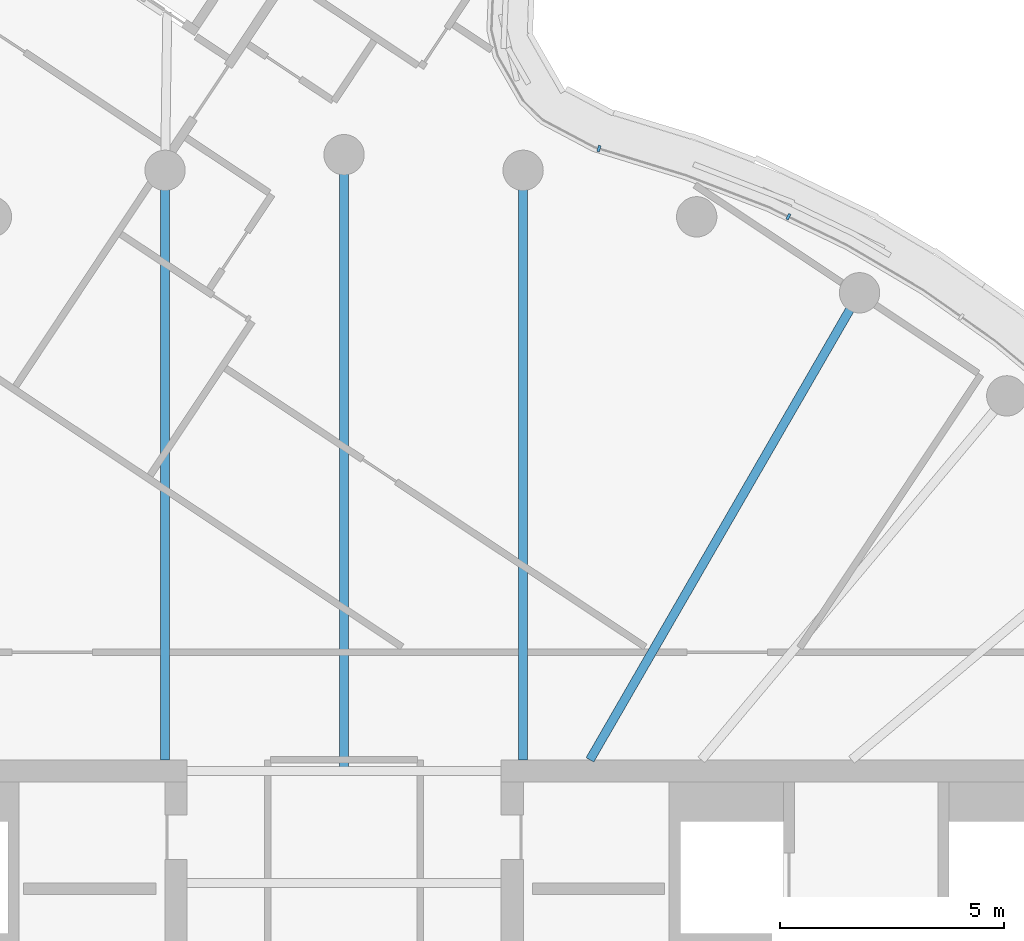
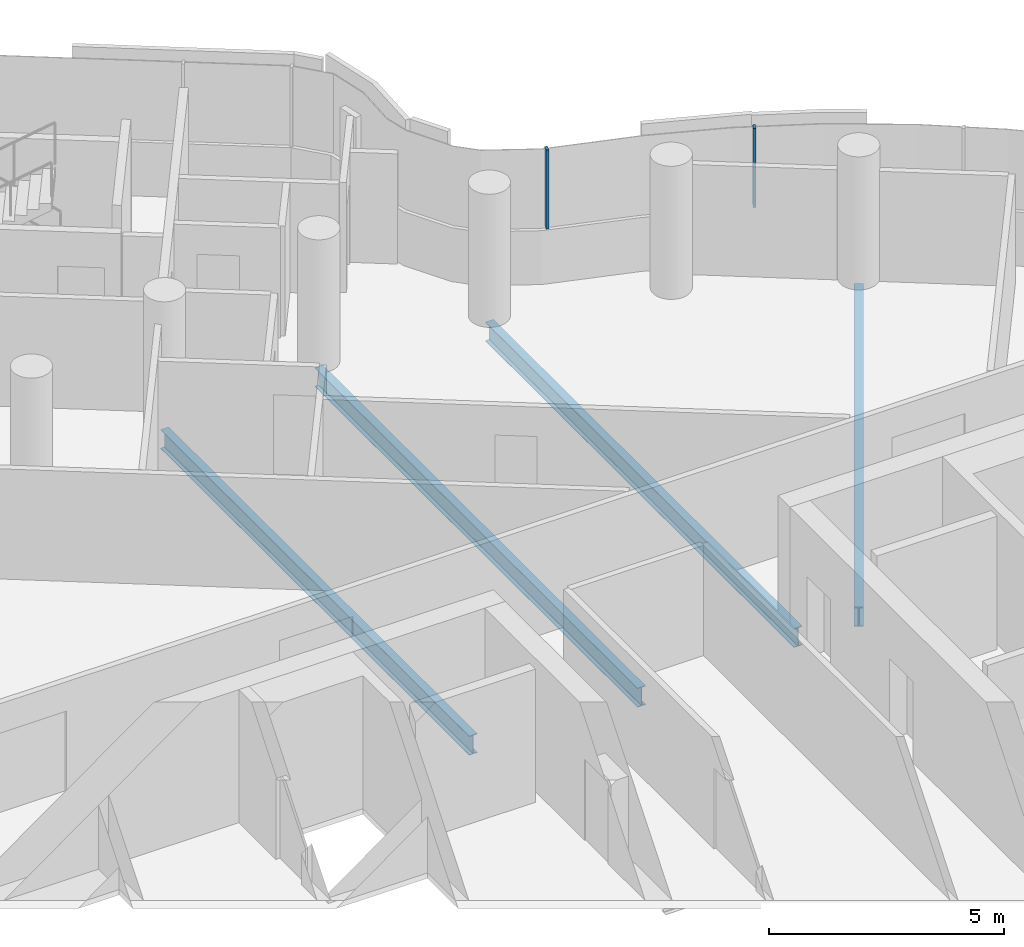
# One storey, part 11 of 27: 4 beams, 2 members, 1 element without a shape of its own.
"""IFC4 building model written with IfcOpenShell, lengths in metres."""

from ifc_helpers import new_model, si_unit, direction, frame, origin, origin_2d, place, context, subcontext, project, spatial, rectangle, i_section, extrude, material, layer, layer_set, material_profile, profile_set, type_object, element, aggregate, save


model = new_model("IFC4")

# Units and contexts
model_context = context("Model", 3, precision=1e-05, world=origin(), true_north=direction((0.0, 1.0)))
body_context = subcontext(model_context, "Body", "Model", "MODEL_VIEW")
ifc_project = project(units=[si_unit("LENGTHUNIT", "METRE"), si_unit("AREAUNIT", "SQUARE_METRE"), si_unit("VOLUMEUNIT", "CUBIC_METRE"), si_unit("PLANEANGLEUNIT", "RADIAN"), si_unit("MASSUNIT", "GRAM", prefix="KILO")], contexts=[model_context])

# Site, building, storey
site_placement = place(None, origin())
site = spatial("IfcSite", under=ifc_project, at=site_placement, CompositionType="ELEMENT")
building_placement = place(site_placement, origin())
building = spatial("IfcBuilding", under=site, at=building_placement, Name="Tamarind Cross Interchange Tower", CompositionType="ELEMENT")
storey_placement = place(building_placement, frame((0.0, 0.0, 237.89990234375)))
storey = spatial("IfcBuildingStorey", under=building, at=storey_placement, Name="L60", CompositionType="ELEMENT", Elevation=237.89990234375)

# Beams
ifc_material_1 = material(Name="Steel Q355B", Category="steel")
ifc_material_profile_1 = material_profile(ifc_material_1, i_section(OverallWidth=0.198974609375, OverallDepth=0.49609375, WebThickness=0.009033203125, FlangeThickness=0.013916015625, FilletRadius=0.012939453125, at=origin_2d()), Name="HN 496x199x9x14")
ifc_profile_set_1 = profile_set([ifc_material_profile_1], Name="Steel Q355B")
beam_type = type_object("IfcBeamType", Name="Composite beam HN 496x199x9x14 Q355B", PredefinedType="BEAM", material=ifc_profile_set_1)
beam_1_placement = place(storey_placement, frame((11.5, 19.918701171875, -0.387939453125), z_axis=(-0.499993565836, -0.866029118519, 0.0), x_axis=(0.866029118519, -0.499993565836, 0.0)))
element("IfcBeam", 1, at=beam_1_placement, inside=storey, type_object=beam_type, Name="Beam HH06", PredefinedType="BEAM", context=body_context, shape_type="SweptSolid", body=[
    extrude(i_section(OverallWidth=0.198974609375, OverallDepth=0.49609375, WebThickness=0.009033203125, FlangeThickness=0.013916015625, FilletRadius=0.012939453125, at=origin_2d()), origin(), (0.0, 0.0, 1.0), 12.030517578125),
])
beam_2_placement = place(storey_placement, frame((3.993896484375, 22.650634765625, -0.387939453125), z_axis=(0.0, -1.0, 0.0), x_axis=(1.0, 0.0, 0.0)))
element("IfcBeam", 2, at=beam_2_placement, inside=storey, type_object=beam_type, Name="Beam HH08", PredefinedType="BEAM", context=body_context, shape_type="SweptSolid", body=[
    extrude(i_section(OverallWidth=0.198974609375, OverallDepth=0.49609375, WebThickness=0.009033203125, FlangeThickness=0.013916015625, FilletRadius=0.012939453125, at=origin_2d()), origin(), (0.0, 0.0, 1.0), 13.150634765625),
])
beam_3_placement = place(storey_placement, frame((0.0, 23.0, -0.387939453125), z_axis=(0.0, -1.0, 0.0), x_axis=(1.0, 0.0, 0.0)))
element("IfcBeam", 3, at=beam_3_placement, inside=storey, type_object=beam_type, Name="Beam HH09", PredefinedType="BEAM", context=body_context, shape_type="SweptSolid", body=[
    extrude(i_section(OverallWidth=0.198974609375, OverallDepth=0.49609375, WebThickness=0.009033203125, FlangeThickness=0.013916015625, FilletRadius=0.012939453125, at=origin_2d()), origin(), (0.0, 0.0, 1.0), 13.75),
])
beam_4_placement = place(storey_placement, frame((-3.993896484375, 22.650634765625, -0.387939453125), z_axis=(0.0, -1.0, 0.0), x_axis=(1.0, 0.0, 0.0)))
element("IfcBeam", 4, at=beam_4_placement, inside=storey, type_object=beam_type, Name="Beam HH10", PredefinedType="BEAM", context=body_context, shape_type="SweptSolid", body=[
    extrude(i_section(OverallWidth=0.198974609375, OverallDepth=0.49609375, WebThickness=0.009033203125, FlangeThickness=0.013916015625, FilletRadius=0.012939453125, at=origin_2d()), origin(), (0.0, 0.0, 1.0), 13.150634765625),
])

# Curtain wall, members
ifc_material_2 = material(Name="Aluminium 6063-T6", Category="aluminium")
ifc_layer = layer(ifc_material_2, 0.139892578125)
ifc_layer_set = layer_set([ifc_layer], Name="Aluminium 6063-T6")
curtain_wall_type = type_object("IfcCurtainWallType", Name="Hotel curtain wall, 4.5 m bays", PredefinedType="NOTDEFINED", material=ifc_layer_set)
curtain_wall_placement = place(storey_placement, origin())
curtain_wall = element("IfcCurtainWall", 5, at=curtain_wall_placement, inside=storey, type_object=curtain_wall_type, Name="CWS-L60-02", PredefinedType="NOTDEFINED")
ifc_material_profile_2 = material_profile(ifc_material_2, rectangle(XDim=0.06005859375, YDim=0.139892578125, at=origin_2d()), Name="Mullion CW2")
ifc_profile_set_2 = profile_set([ifc_material_profile_2], Name="Aluminium 6063-T6")
member_type = type_object("IfcMemberType", Name="Mullion CW2", PredefinedType="MULLION", material=ifc_profile_set_2)
member_1_placement = place(storey_placement, frame((9.911376953125, 21.616455078125, 1.400146484375), z_axis=(0.0, 0.0, 1.0), x_axis=(-0.900272776334, 0.435326231914, 0.0)))
member_1 = element("IfcMember", 6, at=member_1_placement, type_object=member_type, Name="CWM-L60-02-20", PredefinedType="MULLION", context=body_context, shape_type="SweptSolid", body=[
    extrude(rectangle(XDim=0.06005859375, YDim=0.139892578125, at=origin_2d()), origin(), (0.0, 0.0, 1.0), 2.06005859375),
])
member_2_placement = place(storey_placement, frame((5.685302734375, 23.13623046875, 1.400146484375), z_axis=(0.0, 0.0, 1.0), x_axis=(-0.956010293883, 0.293333117786, 0.0)))
member_2 = element("IfcMember", 7, at=member_2_placement, type_object=member_type, Name="CWM-L60-02-21", PredefinedType="MULLION", context=body_context, shape_type="SweptSolid", body=[
    extrude(rectangle(XDim=0.06005859375, YDim=0.139892578125, at=origin_2d()), origin(), (0.0, 0.0, 1.0), 2.06005859375),
])
aggregate(curtain_wall, [member_1, member_2])

save(model, "model.ifc")
